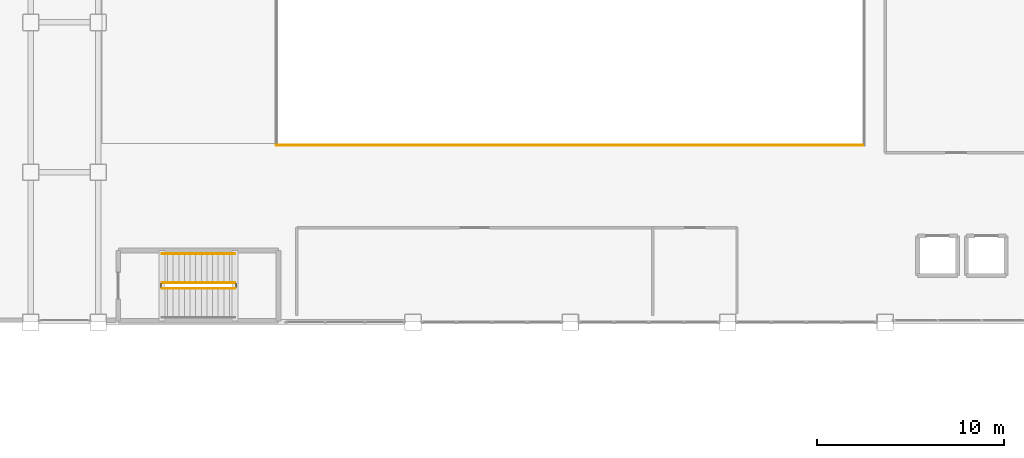
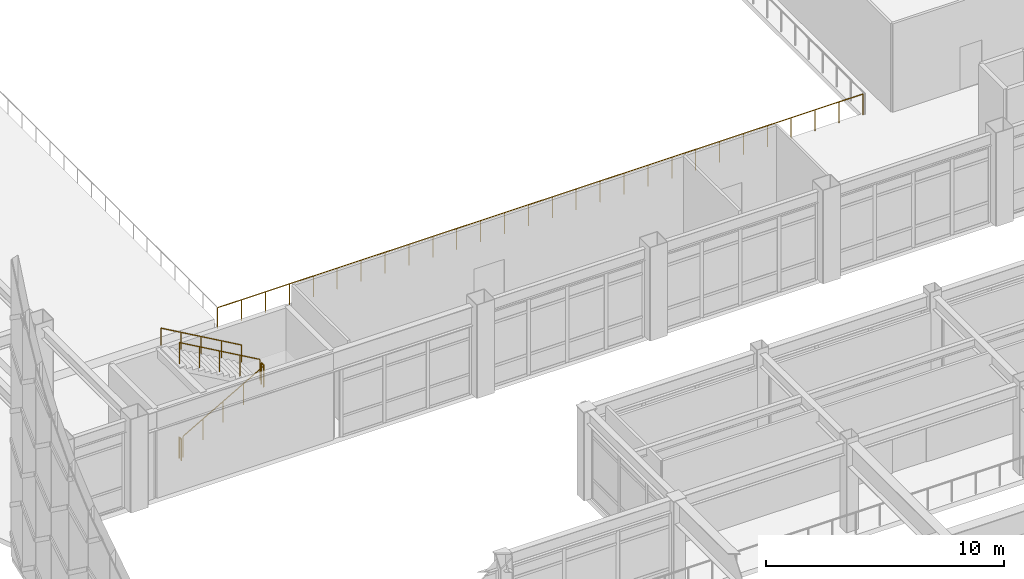
# One storey, part 158 of 172: 6 railings.
"""IFC4 building model written with IfcOpenShell, lengths in metres."""

from ifc_helpers import new_model, si_unit, direction, frame, origin, origin_2d, place, context, subcontext, project, spatial, circle, extrude, material, type_object, element, save


model = new_model("IFC4")

# Units and contexts
model_context = context("Model", 3, precision=1e-05, world=origin(), true_north=direction((0.0, 1.0)))
body_context = subcontext(model_context, "Body", "Model", "MODEL_VIEW")
ifc_project = project(units=[si_unit("LENGTHUNIT", "METRE"), si_unit("AREAUNIT", "SQUARE_METRE"), si_unit("VOLUMEUNIT", "CUBIC_METRE"), si_unit("PLANEANGLEUNIT", "RADIAN"), si_unit("MASSUNIT", "GRAM", prefix="KILO")], contexts=[model_context])

# Site, building, storey
site_placement = place(None, origin())
site = spatial("IfcSite", under=ifc_project, at=site_placement, CompositionType="ELEMENT")
building_placement = place(site_placement, origin())
building = spatial("IfcBuilding", under=site, at=building_placement, Name="Kazehara Bluff Congress Hotel", CompositionType="ELEMENT")
storey_placement = place(building_placement, frame((0.0, 0.0, 5.39990234375)))
storey = spatial("IfcBuildingStorey", under=building, at=storey_placement, Name="L01", CompositionType="ELEMENT", Elevation=5.39990234375)

# Railings
ifc_material_1 = material(Name="Brushed stainless steel", Category="steel")
railing_type_1 = type_object("IfcRailingType", Name="TP-GRD-INT", PredefinedType="GUARDRAIL", material=ifc_material_1)
railing_1_placement = place(storey_placement, frame((11.800048828125, 50.25, 0.171630859375)))
element("IfcRailing", 1, at=railing_1_placement, inside=storey, type_object=railing_type_1, Name="L01 ST-03 stair guard 1", PredefinedType="GUARDRAIL", context=body_context, shape_type="SweptSolid", body=[
    extrude(circle(Radius=0.02392578125, at=origin_2d()), frame((0.0, 0.0, 1.076171875), z_axis=(0.868243142124, 0.0, 0.496138938357), x_axis=(0.0, 1.0, 0.0)), (0.0, 0.0, 1.0), 4.49169921875),
    extrude(circle(Radius=0.02099609375, at=origin_2d()), origin(), (0.0, 0.0, 1.0), 1.052001953125),
    extrude(circle(Radius=0.02099609375, at=origin_2d()), frame((0.97509765625, 0.0, 0.55712890625)), (0.0, 0.0, 1.0), 1.052001953125),
    extrude(circle(Radius=0.02099609375, at=origin_2d()), frame((1.949951171875, 0.0, 1.1142578125)), (0.0, 0.0, 1.0), 1.052001953125),
    extrude(circle(Radius=0.02099609375, at=origin_2d()), frame((2.9248046875, 0.0, 1.67138671875)), (0.0, 0.0, 1.0), 1.052001953125),
    extrude(circle(Radius=0.02099609375, at=origin_2d()), frame((3.89990234375, 0.0, 2.228515625)), (0.0, 0.0, 1.0), 1.052001953125),
])
railing_2_placement = place(storey_placement, frame((15.75, 50.300048828125, 2.400146484375)))
element("IfcRailing", 2, at=railing_2_placement, inside=storey, type_object=railing_type_1, Name="L01 ST-03 stair guard 2", PredefinedType="GUARDRAIL", context=body_context, shape_type="SweptSolid", body=[
    extrude(circle(Radius=0.02392578125, at=origin_2d()), frame((0.0, 0.0, 1.076171875), z_axis=(0.0, 1.0, 0.0), x_axis=(-1.0, 0.0, 0.0)), (0.0, 0.0, 1.0), 0.199951171875),
    extrude(circle(Radius=0.02099609375, at=origin_2d()), origin(), (0.0, 0.0, 1.0), 1.052001953125),
    extrude(circle(Radius=0.02099609375, at=origin_2d()), frame((0.0, 0.199951171875, 0.0)), (0.0, 0.0, 1.0), 1.052001953125),
])
railing_3_placement = place(storey_placement, frame((15.699951171875, 50.550048828125, 2.571533203125)))
element("IfcRailing", 3, at=railing_3_placement, inside=storey, type_object=railing_type_1, Name="L01 ST-03 stair guard 3", PredefinedType="GUARDRAIL", context=body_context, shape_type="SweptSolid", body=[
    extrude(circle(Radius=0.02392578125, at=origin_2d()), frame((0.0, 0.0, 1.076171875), z_axis=(-0.868243142124, 0.0, 0.496138938357), x_axis=(0.0, -1.0, 0.0)), (0.0, 0.0, 1.0), 4.49169921875),
    extrude(circle(Radius=0.02099609375, at=origin_2d()), origin(), (0.0, 0.0, 1.0), 1.052001953125),
    extrude(circle(Radius=0.02099609375, at=origin_2d()), frame((-0.97509765625, 0.0, 0.55712890625)), (0.0, 0.0, 1.0), 1.052001953125),
    extrude(circle(Radius=0.02099609375, at=origin_2d()), frame((-1.949951171875, 0.0, 1.1142578125)), (0.0, 0.0, 1.0), 1.052001953125),
    extrude(circle(Radius=0.02099609375, at=origin_2d()), frame((-2.9248046875, 0.0, 1.67138671875)), (0.0, 0.0, 1.0), 1.052001953125),
    extrude(circle(Radius=0.02099609375, at=origin_2d()), frame((-3.89990234375, 0.0, 2.228515625)), (0.0, 0.0, 1.0), 1.052001953125),
])
railing_4_placement = place(storey_placement, frame((11.75, 50.300048828125, 0.0)))
element("IfcRailing", 4, at=railing_4_placement, inside=storey, type_object=railing_type_1, Name="L01 ST-03 stair guard 4", PredefinedType="GUARDRAIL", context=body_context, shape_type="SweptSolid", body=[
    extrude(circle(Radius=0.02392578125, at=origin_2d()), frame((0.0, 0.0, 1.076171875), z_axis=(0.0, 1.0, 0.0), x_axis=(-1.0, 0.0, 0.0)), (0.0, 0.0, 1.0), 0.199951171875),
    extrude(circle(Radius=0.02099609375, at=origin_2d()), origin(), (0.0, 0.0, 1.0), 1.052001953125),
    extrude(circle(Radius=0.02099609375, at=origin_2d()), frame((0.0, 0.199951171875, 0.0)), (0.0, 0.0, 1.0), 1.052001953125),
])
railing_5_placement = place(storey_placement, frame((17.89990234375, 57.89990234375, 0.0)))
element("IfcRailing", 5, at=railing_5_placement, inside=storey, type_object=railing_type_1, Name="L01 V1-VOID void guardrail S", PredefinedType="GUARDRAIL", context=body_context, shape_type="SweptSolid", body=[
    extrude(circle(Radius=0.02392578125, at=origin_2d()), frame((0.0, 0.0, 1.076171875), z_axis=(1.0, 0.0, 0.0), x_axis=(0.0, 1.0, 0.0)), (0.0, 0.0, 1.0), 31.320068359375),
    extrude(circle(Radius=0.02099609375, at=origin_2d()), origin(), (0.0, 0.0, 1.0), 1.052001953125),
    extrude(circle(Radius=0.02099609375, at=origin_2d()), frame((1.159912109375, 0.0, 0.0)), (0.0, 0.0, 1.0), 1.052001953125),
    extrude(circle(Radius=0.02099609375, at=origin_2d()), frame((2.320068359375, 0.0, 0.0)), (0.0, 0.0, 1.0), 1.052001953125),
    extrude(circle(Radius=0.02099609375, at=origin_2d()), frame((3.47998046875, 0.0, 0.0)), (0.0, 0.0, 1.0), 1.052001953125),
    extrude(circle(Radius=0.02099609375, at=origin_2d()), frame((4.639892578125, 0.0, 0.0)), (0.0, 0.0, 1.0), 1.052001953125),
    extrude(circle(Radius=0.02099609375, at=origin_2d()), frame((5.800048828125, 0.0, 0.0)), (0.0, 0.0, 1.0), 1.052001953125),
    extrude(circle(Radius=0.02099609375, at=origin_2d()), frame((6.9599609375, 0.0, 0.0)), (0.0, 0.0, 1.0), 1.052001953125),
    extrude(circle(Radius=0.02099609375, at=origin_2d()), frame((8.1201171875, 0.0, 0.0)), (0.0, 0.0, 1.0), 1.052001953125),
    extrude(circle(Radius=0.02099609375, at=origin_2d()), frame((9.280029296875, 0.0, 0.0)), (0.0, 0.0, 1.0), 1.052001953125),
    extrude(circle(Radius=0.02099609375, at=origin_2d()), frame((10.43994140625, 0.0, 0.0)), (0.0, 0.0, 1.0), 1.052001953125),
    extrude(circle(Radius=0.02099609375, at=origin_2d()), frame((11.60009765625, 0.0, 0.0)), (0.0, 0.0, 1.0), 1.052001953125),
    extrude(circle(Radius=0.02099609375, at=origin_2d()), frame((12.760009765625, 0.0, 0.0)), (0.0, 0.0, 1.0), 1.052001953125),
    extrude(circle(Radius=0.02099609375, at=origin_2d()), frame((13.919921875, 0.0, 0.0)), (0.0, 0.0, 1.0), 1.052001953125),
    extrude(circle(Radius=0.02099609375, at=origin_2d()), frame((15.080078125, 0.0, 0.0)), (0.0, 0.0, 1.0), 1.052001953125),
    extrude(circle(Radius=0.02099609375, at=origin_2d()), frame((16.239990234375, 0.0, 0.0)), (0.0, 0.0, 1.0), 1.052001953125),
    extrude(circle(Radius=0.02099609375, at=origin_2d()), frame((17.400146484375, 0.0, 0.0)), (0.0, 0.0, 1.0), 1.052001953125),
    extrude(circle(Radius=0.02099609375, at=origin_2d()), frame((18.56005859375, 0.0, 0.0)), (0.0, 0.0, 1.0), 1.052001953125),
    extrude(circle(Radius=0.02099609375, at=origin_2d()), frame((19.719970703125, 0.0, 0.0)), (0.0, 0.0, 1.0), 1.052001953125),
    extrude(circle(Radius=0.02099609375, at=origin_2d()), frame((20.880126953125, 0.0, 0.0)), (0.0, 0.0, 1.0), 1.052001953125),
    extrude(circle(Radius=0.02099609375, at=origin_2d()), frame((22.0400390625, 0.0, 0.0)), (0.0, 0.0, 1.0), 1.052001953125),
    extrude(circle(Radius=0.02099609375, at=origin_2d()), frame((23.199951171875, 0.0, 0.0)), (0.0, 0.0, 1.0), 1.052001953125),
    extrude(circle(Radius=0.02099609375, at=origin_2d()), frame((24.360107421875, 0.0, 0.0)), (0.0, 0.0, 1.0), 1.052001953125),
    extrude(circle(Radius=0.02099609375, at=origin_2d()), frame((25.52001953125, 0.0, 0.0)), (0.0, 0.0, 1.0), 1.052001953125),
    extrude(circle(Radius=0.02099609375, at=origin_2d()), frame((26.68017578125, 0.0, 0.0)), (0.0, 0.0, 1.0), 1.052001953125),
    extrude(circle(Radius=0.02099609375, at=origin_2d()), frame((27.840087890625, 0.0, 0.0)), (0.0, 0.0, 1.0), 1.052001953125),
    extrude(circle(Radius=0.02099609375, at=origin_2d()), frame((29.0, 0.0, 0.0)), (0.0, 0.0, 1.0), 1.052001953125),
    extrude(circle(Radius=0.02099609375, at=origin_2d()), frame((30.16015625, 0.0, 0.0)), (0.0, 0.0, 1.0), 1.052001953125),
    extrude(circle(Radius=0.02099609375, at=origin_2d()), frame((31.320068359375, 0.0, 0.0)), (0.0, 0.0, 1.0), 1.052001953125),
])
ifc_material_2 = material(Name="Brushed stainless steel", Category="steel")
railing_type_2 = type_object("IfcRailingType", Name="TP-HR-INT", PredefinedType="HANDRAIL", material=ifc_material_2)
railing_6_placement = place(storey_placement, frame((15.699951171875, 52.10009765625, 2.571533203125)))
element("IfcRailing", 6, at=railing_6_placement, inside=storey, type_object=railing_type_2, Name="L01 ST-03 stair handrail 2", PredefinedType="HANDRAIL", context=body_context, shape_type="SweptSolid", body=[
    extrude(circle(Radius=0.02392578125, at=origin_2d()), frame((0.0, 0.0, 0.8759765625), z_axis=(-0.868243142124, 0.0, 0.496138938357), x_axis=(0.0, -1.0, 0.0)), (0.0, 0.0, 1.0), 4.49169921875),
    extrude(circle(Radius=0.02099609375, at=origin_2d()), origin(), (0.0, 0.0, 1.0), 0.851806640625),
    extrude(circle(Radius=0.02099609375, at=origin_2d()), frame((-0.97509765625, 0.0, 0.55712890625)), (0.0, 0.0, 1.0), 0.851806640625),
    extrude(circle(Radius=0.02099609375, at=origin_2d()), frame((-1.949951171875, 0.0, 1.1142578125)), (0.0, 0.0, 1.0), 0.851806640625),
    extrude(circle(Radius=0.02099609375, at=origin_2d()), frame((-2.9248046875, 0.0, 1.67138671875)), (0.0, 0.0, 1.0), 0.851806640625),
    extrude(circle(Radius=0.02099609375, at=origin_2d()), frame((-3.89990234375, 0.0, 2.228515625)), (0.0, 0.0, 1.0), 0.851806640625),
])

save(model, "model.ifc")
